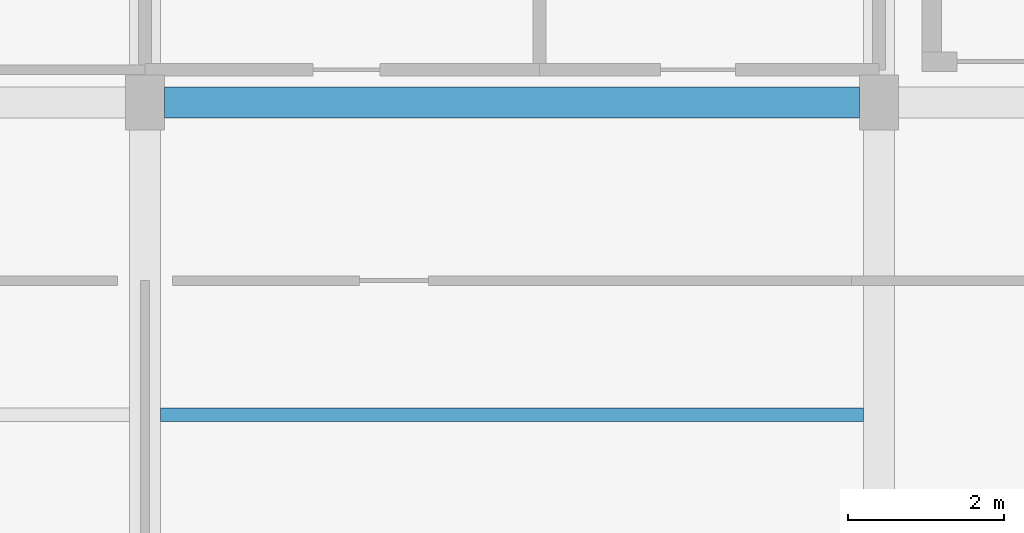
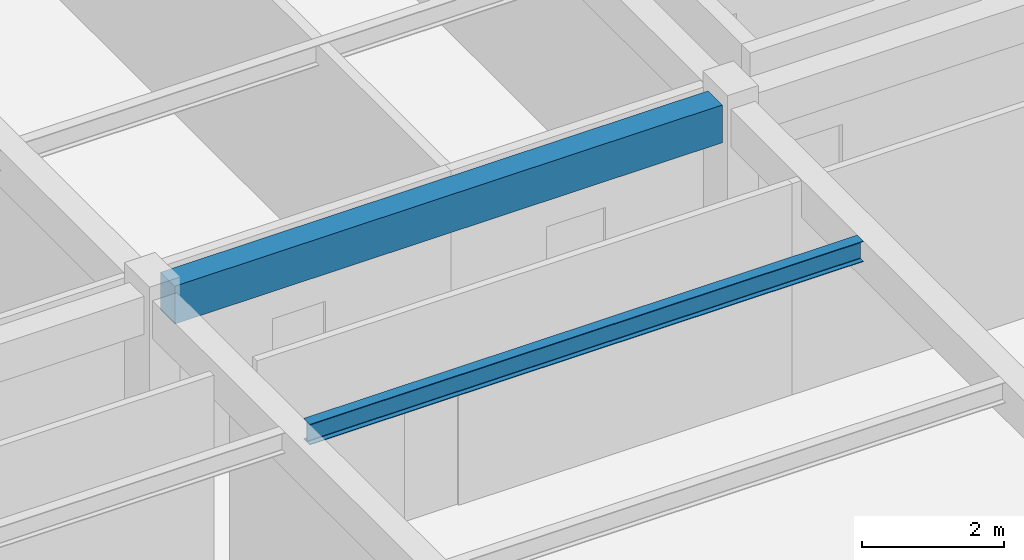
# One storey, part 33 of 150: 2 beams.
"""IFC4 building model written with IfcOpenShell, lengths in metres."""

from ifc_helpers import new_model, si_unit, direction, frame, origin, origin_2d, place, context, subcontext, project, spatial, rectangle, i_section, extrude, material, material_profile, profile_set, type_object, element, save


model = new_model("IFC4")

# Units and contexts
model_context = context("Model", 3, precision=1e-05, world=origin(), true_north=direction((0.0, 1.0)))
body_context = subcontext(model_context, "Body", "Model", "MODEL_VIEW")
ifc_project = project(units=[si_unit("LENGTHUNIT", "METRE"), si_unit("AREAUNIT", "SQUARE_METRE"), si_unit("VOLUMEUNIT", "CUBIC_METRE"), si_unit("PLANEANGLEUNIT", "RADIAN"), si_unit("MASSUNIT", "GRAM", prefix="KILO")], contexts=[model_context])

# Site, building, storey
site_placement = place(None, origin())
site = spatial("IfcSite", under=ifc_project, at=site_placement, CompositionType="ELEMENT")
building_placement = place(site_placement, origin())
building = spatial("IfcBuilding", under=site, at=building_placement, Name="Kestramere Prow Commons", CompositionType="ELEMENT")
storey_placement = place(building_placement, frame((0.0, 0.0, 4.5)))
storey = spatial("IfcBuildingStorey", under=building, at=storey_placement, Name="L01", CompositionType="ELEMENT", Elevation=4.5)

# Beams
ifc_material_1 = material(Name="Precast concrete C40/50", Category="concrete")
ifc_material_profile_1 = material_profile(ifc_material_1, rectangle(XDim=0.39990234375, YDim=0.64990234375, at=origin_2d()), Name="PC-BM 400x650")
ifc_profile_set_1 = profile_set([ifc_material_profile_1], Name="Precast concrete C40/50")
beam_type_1 = type_object("IfcBeamType", Name="BM-MK-01 PC-BM 400x650", PredefinedType="BEAM", material=ifc_profile_set_1)
beam_1_placement = place(storey_placement, frame((94.449951171875, 12.0, 3.324951171875), z_axis=(1.0, 0.0, 0.0), x_axis=(0.0, 1.0, 0.0)))
element("IfcBeam", 1, at=beam_1_placement, inside=storey, type_object=beam_type_1, Name="Market Spine L01 Beam X 2-5", PredefinedType="BEAM", context=body_context, shape_type="SweptSolid", body=[
    extrude(rectangle(XDim=0.39990234375, YDim=0.64990234375, at=origin_2d()), origin(), (0.0, 0.0, 1.0), 8.900146484375),
])
ifc_material_2 = material(Name="Steel S355JR", Category="steel")
ifc_material_profile_2 = material_profile(ifc_material_2, i_section(OverallWidth=0.17138671875, OverallDepth=0.35498046875, WebThickness=0.00732421875, FlangeThickness=0.011474609375, FilletRadius=0.01025390625, at=origin_2d()), Name="UB 356x171x51")
ifc_profile_set_2 = profile_set([ifc_material_profile_2], Name="Steel S355JR")
beam_type_2 = type_object("IfcBeamType", Name="JST-MK-01 UB 356x171x51", PredefinedType="JOIST", material=ifc_profile_set_2)
beam_2_placement = place(storey_placement, frame((94.39990234375, 8.0, 3.472412109375), z_axis=(1.0, 0.0, 0.0), x_axis=(0.0, 1.0, 0.0)))
element("IfcBeam", 2, at=beam_2_placement, inside=storey, type_object=beam_type_2, Name="Market Spine L01 Secondary Joist 5-8", PredefinedType="JOIST", context=body_context, shape_type="SweptSolid", body=[
    extrude(i_section(OverallWidth=0.17138671875, OverallDepth=0.35498046875, WebThickness=0.00732421875, FlangeThickness=0.011474609375, FilletRadius=0.01025390625, at=origin_2d()), origin(), (0.0, 0.0, 1.0), 9.0),
])

save(model, "model.ifc")
